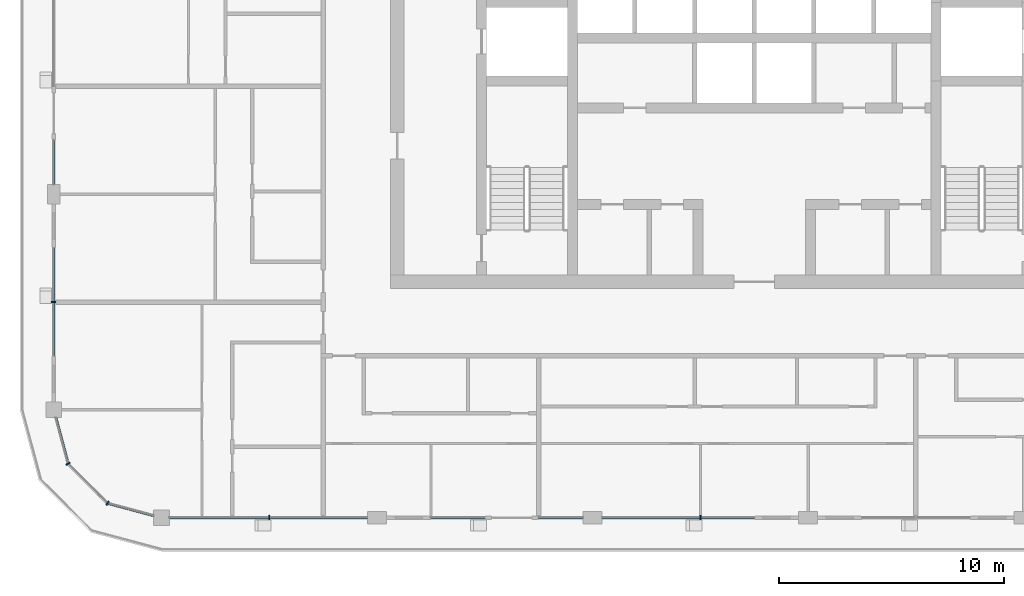
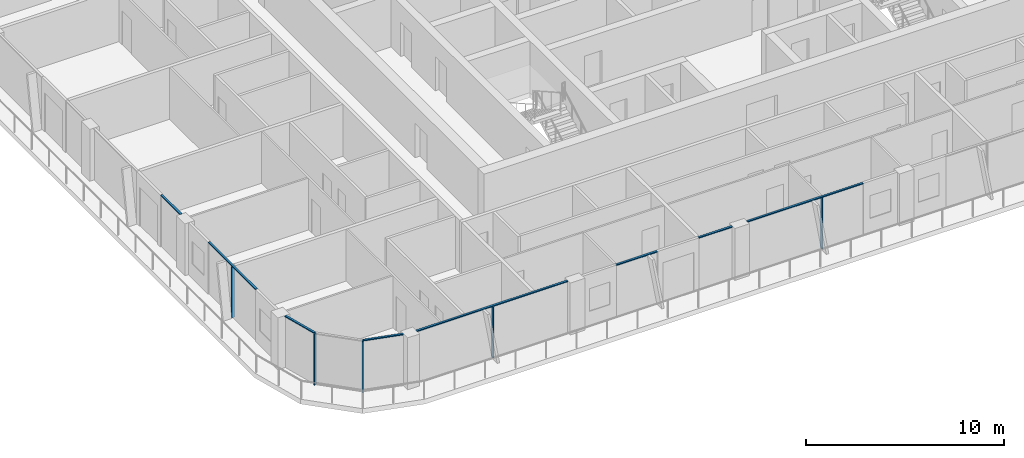
# One storey, part 2 of 22: 13 members, 6 elements without a shape of their own.
"""IFC4 building model written with IfcOpenShell, lengths in metres."""

from ifc_helpers import new_model, si_unit, direction, frame, origin, origin_2d, place, context, subcontext, project, spatial, rectangle, extrude, material, layer, layer_set, material_profile, profile_set, type_object, element, aggregate, save


model = new_model("IFC4")

# Units and contexts
model_context = context("Model", 3, precision=1e-05, world=origin(), true_north=direction((0.0, 1.0)))
body_context = subcontext(model_context, "Body", "Model", "MODEL_VIEW")
ifc_project = project(units=[si_unit("LENGTHUNIT", "METRE"), si_unit("AREAUNIT", "SQUARE_METRE"), si_unit("VOLUMEUNIT", "CUBIC_METRE"), si_unit("PLANEANGLEUNIT", "RADIAN"), si_unit("MASSUNIT", "GRAM", prefix="KILO")], contexts=[model_context])

# Site, building, storey
site_placement = place(None, origin())
site = spatial("IfcSite", under=ifc_project, at=site_placement, CompositionType="ELEMENT")
building_placement = place(site_placement, origin())
building = spatial("IfcBuilding", under=site, at=building_placement, Name="Madar Terraces", CompositionType="ELEMENT")
storey_placement = place(building_placement, frame((0.0, 0.0, 249.199951171875)))
storey = spatial("IfcBuildingStorey", under=building, at=storey_placement, Name="L65", CompositionType="ELEMENT", Elevation=249.199951171875)

# Curtain wall, member
ifc_material_1 = material(Name="Glass, ceramic frit dark grey, with black aluminium frame", Category="aluminium")
ifc_layer = layer(ifc_material_1, 0.199951171875)
ifc_layer_set = layer_set([ifc_layer], Name="Facade curtain wall, fritted glass")
curtain_wall_type = type_object("IfcCurtainWallType", Name="Facade curtain wall, fritted glass", PredefinedType="NOTDEFINED", material=ifc_layer_set)
curtain_wall_1_placement = place(storey_placement, origin())
curtain_wall_1 = element("IfcCurtainWall", 1, at=curtain_wall_1_placement, inside=storey, type_object=curtain_wall_type, Name="Outer skin curtain wall south bay 1", PredefinedType="NOTDEFINED")
ifc_material_2 = material(Name="Aluminium, black anodised", Category="aluminium")
ifc_material_profile_1 = material_profile(ifc_material_2, rectangle(XDim=0.199951171875, YDim=0.06005859375, at=origin_2d()), Name="Facade mullion 60x200")
ifc_profile_set_1 = profile_set([ifc_material_profile_1], Name="Aluminium, black anodised")
member_type_1 = type_object("IfcMemberType", Name="Facade mullion 60x200", PredefinedType="MULLION", material=ifc_profile_set_1)
member_1_placement = place(storey_placement, frame((9.60009765625, 4.800048828125, 0.0), z_axis=(0.0, 0.0, 1.0), x_axis=(0.0, 1.0, 0.0)))
member_1 = element("IfcMember", 2, at=member_1_placement, type_object=member_type_1, Name="Mullion 1", PredefinedType="MULLION", context=body_context, shape_type="SweptSolid", body=[
    extrude(rectangle(XDim=0.199951171875, YDim=0.06005859375, at=origin_2d()), origin(), (0.0, 0.0, 1.0), 3.14013671875),
])

curtain_wall_2_placement = place(storey_placement, origin())
curtain_wall_2 = element("IfcCurtainWall", 3, at=curtain_wall_2_placement, inside=storey, type_object=curtain_wall_type, Name="Outer skin curtain wall south bay 3", PredefinedType="NOTDEFINED")
member_2_placement = place(storey_placement, frame((28.800048828125, 4.800048828125, 0.0), z_axis=(0.0, 0.0, 1.0), x_axis=(0.0, 1.0, 0.0)))
member_2 = element("IfcMember", 4, at=member_2_placement, type_object=member_type_1, Name="Mullion 1", PredefinedType="MULLION", context=body_context, shape_type="SweptSolid", body=[
    extrude(rectangle(XDim=0.199951171875, YDim=0.06005859375, at=origin_2d()), origin(), (0.0, 0.0, 1.0), 3.14013671875),
])

curtain_wall_3_placement = place(storey_placement, origin())
curtain_wall_3 = element("IfcCurtainWall", 5, at=curtain_wall_3_placement, inside=storey, type_object=curtain_wall_type, Name="Outer skin curtain wall west bay 4", PredefinedType="NOTDEFINED")
member_3_placement = place(storey_placement, frame((0.0, 14.39990234375, 0.0), z_axis=(0.0, 0.0, 1.0), x_axis=(1.0, 0.0, 0.0)))
member_3 = element("IfcMember", 6, at=member_3_placement, type_object=member_type_1, Name="Mullion 1", PredefinedType="MULLION", context=body_context, shape_type="SweptSolid", body=[
    extrude(rectangle(XDim=0.199951171875, YDim=0.06005859375, at=origin_2d()), origin(), (0.0, 0.0, 1.0), 3.14013671875),
])

# Curtain wall, members
curtain_wall_4_placement = place(storey_placement, origin())
curtain_wall_4 = element("IfcCurtainWall", 7, at=curtain_wall_4_placement, inside=storey, type_object=curtain_wall_type, Name="Outer skin curtain wall south-west corner", PredefinedType="NOTDEFINED")
member_4_placement = place(storey_placement, frame((0.64306640625, 7.199951171875, 0.0), z_axis=(0.0, 0.0, 1.0), x_axis=(0.866025409797, 0.499999989586, 0.0)))
member_4 = element("IfcMember", 8, at=member_4_placement, type_object=member_type_1, Name="Mullion 1", PredefinedType="MULLION", context=body_context, shape_type="SweptSolid", body=[
    extrude(rectangle(XDim=0.199951171875, YDim=0.06005859375, at=origin_2d()), origin(), (0.0, 0.0, 1.0), 3.14013671875),
])
member_5_placement = place(storey_placement, frame((2.39990234375, 5.443115234375, 0.0), z_axis=(0.0, 0.0, 1.0), x_axis=(0.499999989586, 0.866025409797, 0.0)))
member_5 = element("IfcMember", 9, at=member_5_placement, type_object=member_type_1, Name="Mullion 2", PredefinedType="MULLION", context=body_context, shape_type="SweptSolid", body=[
    extrude(rectangle(XDim=0.199951171875, YDim=0.06005859375, at=origin_2d()), origin(), (0.0, 0.0, 1.0), 3.14013671875),
])

# Member
ifc_material_3 = material(Name="Aluminium, black anodised", Category="aluminium")
ifc_material_profile_2 = material_profile(ifc_material_3, rectangle(XDim=0.1201171875, YDim=0.06005859375, at=origin_2d()), Name="Facade transom 60x120")
ifc_profile_set_2 = profile_set([ifc_material_profile_2], Name="Aluminium, black anodised")
member_type_2 = type_object("IfcMemberType", Name="Facade transom 60x120", PredefinedType="USERDEFINED", material=ifc_profile_set_2)
member_6_placement = place(storey_placement, frame((5.14990234375, 4.800048828125, 3.170166015625), z_axis=(1.0, 0.0, 0.0), x_axis=(0.0, 1.0, 0.0)))
member_6 = element("IfcMember", 10, at=member_6_placement, type_object=member_type_2, Name="Transom 1", ObjectType="TRANSOM", PredefinedType="USERDEFINED", context=body_context, shape_type="SweptSolid", body=[
    extrude(rectangle(XDim=0.1201171875, YDim=0.06005859375, at=origin_2d()), origin(), (0.0, 0.0, 1.0), 8.8251953125),
])

aggregate(curtain_wall_1, [member_1, member_6])

# Curtain wall, members
curtain_wall_5_placement = place(storey_placement, origin())
curtain_wall_5 = element("IfcCurtainWall", 11, at=curtain_wall_5_placement, inside=storey, type_object=curtain_wall_type, Name="Outer skin curtain wall south bay 2", PredefinedType="NOTDEFINED")
member_7_placement = place(storey_placement, frame((16.800048828125, 4.800048828125, 3.170166015625), z_axis=(1.0, 0.0, 0.0), x_axis=(0.0, 1.0, 0.0)))
member_7 = element("IfcMember", 12, at=member_7_placement, type_object=member_type_2, Name="Transom 1", ObjectType="TRANSOM", PredefinedType="USERDEFINED", context=body_context, shape_type="SweptSolid", body=[
    extrude(rectangle(XDim=0.1201171875, YDim=0.06005859375, at=origin_2d()), origin(), (0.0, 0.0, 1.0), 2.39990234375),
])
member_8_placement = place(storey_placement, frame((21.60009765625, 4.800048828125, 3.170166015625), z_axis=(1.0, 0.0, 0.0), x_axis=(0.0, 1.0, 0.0)))
member_8 = element("IfcMember", 13, at=member_8_placement, type_object=member_type_2, Name="Transom 2", ObjectType="TRANSOM", PredefinedType="USERDEFINED", context=body_context, shape_type="SweptSolid", body=[
    extrude(rectangle(XDim=0.1201171875, YDim=0.06005859375, at=origin_2d()), origin(), (0.0, 0.0, 1.0), 1.974853515625),
])
aggregate(curtain_wall_5, [member_7, member_8])

# Member
member_9_placement = place(storey_placement, frame((24.425048828125, 4.800048828125, 3.170166015625), z_axis=(1.0, 0.0, 0.0), x_axis=(0.0, 1.0, 0.0)))
member_9 = element("IfcMember", 14, at=member_9_placement, type_object=member_type_2, Name="Transom 1", ObjectType="TRANSOM", PredefinedType="USERDEFINED", context=body_context, shape_type="SweptSolid", body=[
    extrude(rectangle(XDim=0.1201171875, YDim=0.06005859375, at=origin_2d()), origin(), (0.0, 0.0, 1.0), 6.77490234375),
])

aggregate(curtain_wall_2, [member_2, member_9])

# Curtain wall, member
curtain_wall_6_placement = place(storey_placement, origin())
curtain_wall_6 = element("IfcCurtainWall", 15, at=curtain_wall_6_placement, inside=storey, type_object=curtain_wall_type, Name="Outer skin curtain wall west bay 3", PredefinedType="NOTDEFINED")
member_10_placement = place(storey_placement, frame((0.0, 21.60009765625, 3.170166015625), z_axis=(0.0, -1.0, 0.0), x_axis=(1.0, 0.0, 0.0)))
member_10 = element("IfcMember", 16, at=member_10_placement, type_object=member_type_2, Name="Transom 2", ObjectType="TRANSOM", PredefinedType="USERDEFINED", context=body_context, shape_type="SweptSolid", body=[
    extrude(rectangle(XDim=0.1201171875, YDim=0.06005859375, at=origin_2d()), origin(), (0.0, 0.0, 1.0), 1.97509765625),
])
aggregate(curtain_wall_6, [member_10])

# Member
member_11_placement = place(storey_placement, frame((0.0, 16.800048828125, 3.170166015625), z_axis=(0.0, -1.0, 0.0), x_axis=(1.0, 0.0, 0.0)))
member_11 = element("IfcMember", 17, at=member_11_placement, type_object=member_type_2, Name="Transom 1", ObjectType="TRANSOM", PredefinedType="USERDEFINED", context=body_context, shape_type="SweptSolid", body=[
    extrude(rectangle(XDim=0.1201171875, YDim=0.06005859375, at=origin_2d()), origin(), (0.0, 0.0, 1.0), 4.800048828125),
])

aggregate(curtain_wall_3, [member_3, member_11])

member_12_placement = place(storey_placement, frame((0.09375, 9.25, 3.170166015625), z_axis=(0.258809963731, -0.965928259589, 0.0), x_axis=(0.965928259589, 0.258809963731, 0.0)))
member_12 = element("IfcMember", 18, at=member_12_placement, type_object=member_type_2, Name="Transom 1", ObjectType="TRANSOM", PredefinedType="USERDEFINED", context=body_context, shape_type="SweptSolid", body=[
    extrude(rectangle(XDim=0.1201171875, YDim=0.06005859375, at=origin_2d()), origin(), (0.0, 0.0, 1.0), 2.09228515625),
])

member_13_placement = place(storey_placement, frame((2.428955078125, 5.435302734375, 3.170166015625), z_axis=(0.965928259589, -0.258809963731, 0.0), x_axis=(0.258809963731, 0.965928259589, 0.0)))
member_13 = element("IfcMember", 19, at=member_13_placement, type_object=member_type_2, Name="Transom 3", ObjectType="TRANSOM", PredefinedType="USERDEFINED", context=body_context, shape_type="SweptSolid", body=[
    extrude(rectangle(XDim=0.1201171875, YDim=0.06005859375, at=origin_2d()), origin(), (0.0, 0.0, 1.0), 2.09228515625),
])

aggregate(curtain_wall_4, [member_4, member_12, member_5, member_13])

save(model, "model.ifc")
